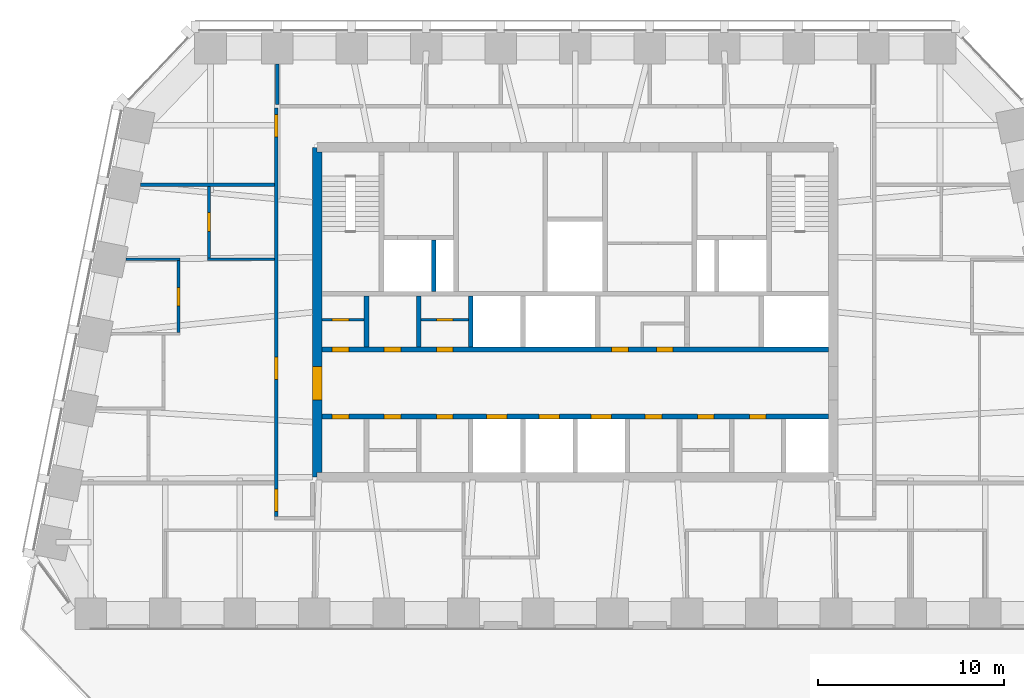
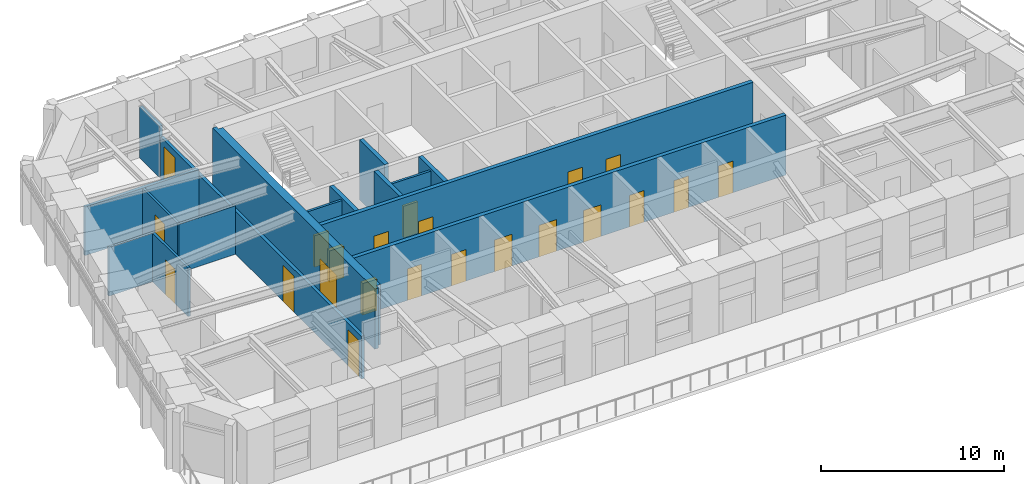
# One storey, part 5 of 10: 22 doors, 16 walls, 22 openings.
"""IFC4 building model written with IfcOpenShell, lengths in metres."""

from ifc_helpers import new_model, si_unit, direction, frame, frame_2d, origin, place, context, subcontext, project, spatial, polyline, rectangle, outline, extrude, material, layer, layer_set, type_object, element, fill, save


model = new_model("IFC4")

# Units and contexts
model_context = context("Model", 3, precision=1e-05, world=origin(), true_north=direction((0.0, 1.0)))
body_context = subcontext(model_context, "Body", "Model", "MODEL_VIEW")
ifc_project = project(units=[si_unit("LENGTHUNIT", "METRE"), si_unit("AREAUNIT", "SQUARE_METRE"), si_unit("VOLUMEUNIT", "CUBIC_METRE"), si_unit("PLANEANGLEUNIT", "RADIAN"), si_unit("MASSUNIT", "GRAM", prefix="KILO")], contexts=[model_context])

# Site, building, storey
site_placement = place(None, origin())
site = spatial("IfcSite", under=ifc_project, at=site_placement, CompositionType="ELEMENT")
building_placement = place(site_placement, origin())
building = spatial("IfcBuilding", under=site, at=building_placement, Name="Isbrekke Arena Tower", CompositionType="ELEMENT")
storey_placement = place(building_placement, frame((0.0, 0.0, 296.0)))
storey = spatial("IfcBuildingStorey", under=building, at=storey_placement, Name="L69", CompositionType="ELEMENT", Elevation=296.0)

# Wall, opening, door
ifc_material_1 = material(Name="Concrete B55 (C55/67)", Category="concrete")
ifc_layer_1 = layer(ifc_material_1, 0.5)
ifc_layer_set_1 = layer_set([ifc_layer_1], Name="CW5 CORE WALL 500")
wall_type_1 = type_object("IfcWallType", Name="CW5 CORE WALL 500", PredefinedType="SHEAR", material=ifc_layer_set_1)
wall_1_placement = place(storey_placement, frame((-13.85009765625, 23.85009765625, 0.0), z_axis=(0.0, 0.0, 1.0), x_axis=(0.0, -1.0, 0.0)))
wall_1 = element("IfcWall", 1, at=wall_1_placement, inside=storey, type_object=wall_type_1, Name="Core wall W L69", PredefinedType="SHEAR", context=body_context, shape_type="SweptSolid", body=[
    extrude(outline(polyline([(0.0, -0.25), (17.7001953125, -0.25), (17.7001953125, 0.0), (17.4501953125, 0.0), (17.4501953125, 0.25), (0.25, 0.25), (0.25, 0.0), (0.0, 0.0), (0.0, -0.25)])), origin(), (0.0, 0.0, 1.0), 4.0),
])
opening_1_placement = place(wall_1_placement, frame((11.75, 0.0, 0.0)))
opening_1 = element("IfcOpeningElement", 2, at=opening_1_placement, cuts=wall_1, Name="Opening D1", PredefinedType="OPENING", context=body_context, shape_type="SweptSolid", body=[
    extrude(rectangle(XDim=1.800048828125, YDim=2.39990234375, at=frame_2d((0.89990234375, 1.199951171875))), frame((0.0, 0.264892578125, 0.0), z_axis=(0.0, -1.0, 0.0), x_axis=(1.0, 0.0, 0.0)), (0.0, 0.0, 1.0), 0.52978515625),
])
ifc_material_2 = material(Name="Steel-framed glazed fire door", Category="steel")
door_type_1 = type_object("IfcDoorType", Name="D1 CORE LOBBY DOOR 1800 x 2400", OperationType="DOUBLE_DOOR_SINGLE_SWING", PredefinedType="DOOR", material=ifc_material_2)
door_1_placement = place(opening_1_placement, origin())
door_1 = element("IfcDoor", 3, at=door_1_placement, inside=storey, type_object=door_type_1, Name="D1 lift lobby door west L69", OperationType="DOUBLE_DOOR_SINGLE_SWING", OverallHeight=2.39990234375, OverallWidth=1.800048828125, PredefinedType="DOOR", context=body_context, shape_type="SweptSolid", body=[
    extrude(rectangle(XDim=1.800048828125, YDim=2.39990234375, at=frame_2d((0.89990234375, 1.199951171875))), frame((0.0, 0.249755859375, 0.0), z_axis=(0.0, -1.0, 0.0), x_axis=(1.0, 0.0, 0.0)), (0.0, 0.0, 1.0), 0.49951171875),
])
fill(opening_1, door_1)

# Wall, openings, doors
ifc_material_3 = material(Name="Concrete B45 (C45/55)", Category="concrete")
ifc_layer_2 = layer(ifc_material_3, 0.25)
ifc_layer_set_2 = layer_set([ifc_layer_2], Name="CW6 SHAFT WALL 250")
wall_type_2 = type_object("IfcWallType", Name="CW6 SHAFT WALL 250", PredefinedType="SHEAR", material=ifc_layer_set_2)
wall_2_placement = place(storey_placement, frame((-13.60009765625, 9.39990234375, 0.0), z_axis=(0.0, 0.0, 1.0), x_axis=(1.0, 0.0, 0.0)))
wall_2 = element("IfcWall", 4, at=wall_2_placement, inside=storey, type_object=wall_type_2, Name="Core wall LS L69", PredefinedType="SHEAR", context=body_context, shape_type="SweptSolid", body=[
    extrude(rectangle(XDim=27.2001953125, YDim=0.25, at=frame_2d((13.60009765625, 0.0))), origin(), (0.0, 0.0, 1.0), 4.0),
])
opening_2_placement = place(wall_2_placement, frame((8.85009765625, 0.0, 0.0)))
opening_2 = element("IfcOpeningElement", 5, at=opening_2_placement, cuts=wall_2, Name="Opening LD1", PredefinedType="OPENING", context=body_context, shape_type="SweptSolid", body=[
    extrude(rectangle(XDim=1.10009765625, YDim=2.10009765625, at=frame_2d((0.550048828125, 1.050048828125))), frame((0.0, 0.139892578125, 0.0), z_axis=(0.0, -1.0, 0.0), x_axis=(1.0, 0.0, 0.0)), (0.0, 0.0, 1.0), 0.27978515625),
])
opening_3_placement = place(wall_2_placement, frame((11.64990234375, 0.0, 0.0)))
opening_3 = element("IfcOpeningElement", 6, at=opening_3_placement, cuts=wall_2, Name="Opening LD1", PredefinedType="OPENING", context=body_context, shape_type="SweptSolid", body=[
    extrude(rectangle(XDim=1.10009765625, YDim=2.10009765625, at=frame_2d((0.550048828125, 1.050048828125))), frame((0.0, 0.139892578125, 0.0), z_axis=(0.0, -1.0, 0.0), x_axis=(1.0, 0.0, 0.0)), (0.0, 0.0, 1.0), 0.27978515625),
])
opening_4_placement = place(wall_2_placement, frame((14.449951171875, 0.0, 0.0)))
opening_4 = element("IfcOpeningElement", 7, at=opening_4_placement, cuts=wall_2, Name="Opening LD1", PredefinedType="OPENING", context=body_context, shape_type="SweptSolid", body=[
    extrude(rectangle(XDim=1.10009765625, YDim=2.10009765625, at=frame_2d((0.550048828125, 1.050048828125))), frame((0.0, 0.139892578125, 0.0), z_axis=(0.0, -1.0, 0.0), x_axis=(1.0, 0.0, 0.0)), (0.0, 0.0, 1.0), 0.27978515625),
])
opening_5_placement = place(wall_2_placement, frame((0.550048828125, 0.0, 0.0)))
opening_5 = element("IfcOpeningElement", 8, at=opening_5_placement, cuts=wall_2, Name="Opening D5", PredefinedType="OPENING", context=body_context, shape_type="SweptSolid", body=[
    extrude(rectangle(XDim=0.89990234375, YDim=2.10009765625, at=frame_2d((0.449951171875, 1.050048828125))), frame((0.0, 0.139892578125, 0.0), z_axis=(0.0, -1.0, 0.0), x_axis=(1.0, 0.0, 0.0)), (0.0, 0.0, 1.0), 0.27978515625),
])
opening_6_placement = place(wall_2_placement, frame((3.35009765625, 0.0, 0.0)))
opening_6 = element("IfcOpeningElement", 9, at=opening_6_placement, cuts=wall_2, Name="Opening D5", PredefinedType="OPENING", context=body_context, shape_type="SweptSolid", body=[
    extrude(rectangle(XDim=0.89990234375, YDim=2.10009765625, at=frame_2d((0.449951171875, 1.050048828125))), frame((0.0, 0.139892578125, 0.0), z_axis=(0.0, -1.0, 0.0), x_axis=(1.0, 0.0, 0.0)), (0.0, 0.0, 1.0), 0.27978515625),
])
opening_7_placement = place(wall_2_placement, frame((6.14990234375, 0.0, 0.0)))
opening_7 = element("IfcOpeningElement", 10, at=opening_7_placement, cuts=wall_2, Name="Opening D5", PredefinedType="OPENING", context=body_context, shape_type="SweptSolid", body=[
    extrude(rectangle(XDim=0.89990234375, YDim=2.10009765625, at=frame_2d((0.449951171875, 1.050048828125))), frame((0.0, 0.139892578125, 0.0), z_axis=(0.0, -1.0, 0.0), x_axis=(1.0, 0.0, 0.0)), (0.0, 0.0, 1.0), 0.27978515625),
])
opening_8_placement = place(wall_2_placement, frame((17.35009765625, 0.0, 0.0)))
opening_8 = element("IfcOpeningElement", 11, at=opening_8_placement, cuts=wall_2, Name="Opening D5", PredefinedType="OPENING", context=body_context, shape_type="SweptSolid", body=[
    extrude(rectangle(XDim=0.89990234375, YDim=2.10009765625, at=frame_2d((0.449951171875, 1.050048828125))), frame((0.0, 0.139892578125, 0.0), z_axis=(0.0, -1.0, 0.0), x_axis=(1.0, 0.0, 0.0)), (0.0, 0.0, 1.0), 0.27978515625),
])
opening_9_placement = place(wall_2_placement, frame((20.14990234375, 0.0, 0.0)))
opening_9 = element("IfcOpeningElement", 12, at=opening_9_placement, cuts=wall_2, Name="Opening D5", PredefinedType="OPENING", context=body_context, shape_type="SweptSolid", body=[
    extrude(rectangle(XDim=0.89990234375, YDim=2.10009765625, at=frame_2d((0.449951171875, 1.050048828125))), frame((0.0, 0.139892578125, 0.0), z_axis=(0.0, -1.0, 0.0), x_axis=(1.0, 0.0, 0.0)), (0.0, 0.0, 1.0), 0.27978515625),
])
opening_10_placement = place(wall_2_placement, frame((22.949951171875, 0.0, 0.0)))
opening_10 = element("IfcOpeningElement", 13, at=opening_10_placement, cuts=wall_2, Name="Opening D5", PredefinedType="OPENING", context=body_context, shape_type="SweptSolid", body=[
    extrude(rectangle(XDim=0.89990234375, YDim=2.10009765625, at=frame_2d((0.449951171875, 1.050048828125))), frame((0.0, 0.139892578125, 0.0), z_axis=(0.0, -1.0, 0.0), x_axis=(1.0, 0.0, 0.0)), (0.0, 0.0, 1.0), 0.27978515625),
])
ifc_material_4 = material(Name="Steel fire door", Category="steel")
door_type_2 = type_object("IfcDoorType", Name="D5 SERVICE DOOR 900 x 2100", OperationType="SINGLE_SWING_LEFT", PredefinedType="DOOR", material=ifc_material_4)
door_2_placement = place(opening_5_placement, origin())
door_2 = element("IfcDoor", 14, at=door_2_placement, inside=storey, type_object=door_type_2, Name="D5 archive door L69", OperationType="SINGLE_SWING_LEFT", OverallHeight=2.10009765625, OverallWidth=0.89990234375, PredefinedType="DOOR", context=body_context, shape_type="SweptSolid", body=[
    extrude(rectangle(XDim=0.89990234375, YDim=2.10009765625, at=frame_2d((0.449951171875, 1.050048828125))), frame((0.0, 0.124755859375, 0.0), z_axis=(0.0, -1.0, 0.0), x_axis=(1.0, 0.0, 0.0)), (0.0, 0.0, 1.0), 0.24951171875),
])
fill(opening_5, door_2)
door_3_placement = place(opening_6_placement, origin())
door_3 = element("IfcDoor", 15, at=door_3_placement, inside=storey, type_object=door_type_2, Name="D5 print room door L69", OperationType="SINGLE_SWING_LEFT", OverallHeight=2.10009765625, OverallWidth=0.89990234375, PredefinedType="DOOR", context=body_context, shape_type="SweptSolid", body=[
    extrude(rectangle(XDim=0.89990234375, YDim=2.10009765625, at=frame_2d((0.449951171875, 1.050048828125))), frame((0.0, 0.124755859375, 0.0), z_axis=(0.0, -1.0, 0.0), x_axis=(1.0, 0.0, 0.0)), (0.0, 0.0, 1.0), 0.24951171875),
])
fill(opening_6, door_3)
door_4_placement = place(opening_7_placement, origin())
door_4 = element("IfcDoor", 16, at=door_4_placement, inside=storey, type_object=door_type_2, Name="D5 technical room door L69", OperationType="SINGLE_SWING_LEFT", OverallHeight=2.10009765625, OverallWidth=0.89990234375, PredefinedType="DOOR", context=body_context, shape_type="SweptSolid", body=[
    extrude(rectangle(XDim=0.89990234375, YDim=2.10009765625, at=frame_2d((0.449951171875, 1.050048828125))), frame((0.0, 0.124755859375, 0.0), z_axis=(0.0, -1.0, 0.0), x_axis=(1.0, 0.0, 0.0)), (0.0, 0.0, 1.0), 0.24951171875),
])
fill(opening_7, door_4)
door_5_placement = place(opening_8_placement, origin())
door_5 = element("IfcDoor", 17, at=door_5_placement, inside=storey, type_object=door_type_2, Name="D5 tenant store door L69", OperationType="SINGLE_SWING_LEFT", OverallHeight=2.10009765625, OverallWidth=0.89990234375, PredefinedType="DOOR", context=body_context, shape_type="SweptSolid", body=[
    extrude(rectangle(XDim=0.89990234375, YDim=2.10009765625, at=frame_2d((0.449951171875, 1.050048828125))), frame((0.0, 0.124755859375, 0.0), z_axis=(0.0, -1.0, 0.0), x_axis=(1.0, 0.0, 0.0)), (0.0, 0.0, 1.0), 0.24951171875),
])
fill(opening_8, door_5)
door_6_placement = place(opening_9_placement, origin())
door_6 = element("IfcDoor", 18, at=door_6_placement, inside=storey, type_object=door_type_2, Name="D5 pantry door L69", OperationType="SINGLE_SWING_LEFT", OverallHeight=2.10009765625, OverallWidth=0.89990234375, PredefinedType="DOOR", context=body_context, shape_type="SweptSolid", body=[
    extrude(rectangle(XDim=0.89990234375, YDim=2.10009765625, at=frame_2d((0.449951171875, 1.050048828125))), frame((0.0, 0.124755859375, 0.0), z_axis=(0.0, -1.0, 0.0), x_axis=(1.0, 0.0, 0.0)), (0.0, 0.0, 1.0), 0.24951171875),
])
fill(opening_9, door_6)
door_7_placement = place(opening_10_placement, origin())
door_7 = element("IfcDoor", 19, at=door_7_placement, inside=storey, type_object=door_type_2, Name="D5 archive door L69", OperationType="SINGLE_SWING_LEFT", OverallHeight=2.10009765625, OverallWidth=0.89990234375, PredefinedType="DOOR", context=body_context, shape_type="SweptSolid", body=[
    extrude(rectangle(XDim=0.89990234375, YDim=2.10009765625, at=frame_2d((0.449951171875, 1.050048828125))), frame((0.0, 0.124755859375, 0.0), z_axis=(0.0, -1.0, 0.0), x_axis=(1.0, 0.0, 0.0)), (0.0, 0.0, 1.0), 0.24951171875),
])
fill(opening_10, door_7)
ifc_material_5 = material(Name="Stainless steel lift landing door", Category="steel")
door_type_3 = type_object("IfcDoorType", Name="LD1 LIFT LANDING DOOR 1100 x 2100", OperationType="SLIDING_TO_LEFT", PredefinedType="DOOR", material=ifc_material_5)
door_8_placement = place(opening_2_placement, origin())
door_8 = element("IfcDoor", 20, at=door_8_placement, inside=storey, type_object=door_type_3, Name="LD1 lift landing door LE L69", OperationType="SLIDING_TO_LEFT", OverallHeight=2.10009765625, OverallWidth=1.10009765625, PredefinedType="DOOR", context=body_context, shape_type="SweptSolid", body=[
    extrude(rectangle(XDim=1.10009765625, YDim=2.10009765625, at=frame_2d((0.550048828125, 1.050048828125))), frame((0.0, 0.124755859375, 0.0), z_axis=(0.0, -1.0, 0.0), x_axis=(1.0, 0.0, 0.0)), (0.0, 0.0, 1.0), 0.24951171875),
])
fill(opening_2, door_8)
door_9_placement = place(opening_3_placement, origin())
door_9 = element("IfcDoor", 21, at=door_9_placement, inside=storey, type_object=door_type_3, Name="LD1 lift landing door LE L69", OperationType="SLIDING_TO_LEFT", OverallHeight=2.10009765625, OverallWidth=1.10009765625, PredefinedType="DOOR", context=body_context, shape_type="SweptSolid", body=[
    extrude(rectangle(XDim=1.10009765625, YDim=2.10009765625, at=frame_2d((0.550048828125, 1.050048828125))), frame((0.0, 0.124755859375, 0.0), z_axis=(0.0, -1.0, 0.0), x_axis=(1.0, 0.0, 0.0)), (0.0, 0.0, 1.0), 0.24951171875),
])
fill(opening_3, door_9)
door_10_placement = place(opening_4_placement, origin())
door_10 = element("IfcDoor", 22, at=door_10_placement, inside=storey, type_object=door_type_3, Name="LD1 lift landing door LE L69", OperationType="SLIDING_TO_LEFT", OverallHeight=2.10009765625, OverallWidth=1.10009765625, PredefinedType="DOOR", context=body_context, shape_type="SweptSolid", body=[
    extrude(rectangle(XDim=1.10009765625, YDim=2.10009765625, at=frame_2d((0.550048828125, 1.050048828125))), frame((0.0, 0.124755859375, 0.0), z_axis=(0.0, -1.0, 0.0), x_axis=(1.0, 0.0, 0.0)), (0.0, 0.0, 1.0), 0.24951171875),
])
fill(opening_4, door_10)

wall_3_placement = place(storey_placement, frame((-13.60009765625, 13.0, 0.0), z_axis=(0.0, 0.0, 1.0), x_axis=(1.0, 0.0, 0.0)))
wall_3 = element("IfcWall", 23, at=wall_3_placement, inside=storey, type_object=wall_type_2, Name="Core wall LN L69", PredefinedType="SHEAR", context=body_context, shape_type="SweptSolid", body=[
    extrude(rectangle(XDim=27.2001953125, YDim=0.25, at=frame_2d((13.60009765625, 0.0))), origin(), (0.0, 0.0, 1.0), 4.0),
])
opening_11_placement = place(wall_3_placement, frame((15.550048828125, 0.0, 0.0)))
opening_11 = element("IfcOpeningElement", 24, at=opening_11_placement, cuts=wall_3, Name="Opening D5", PredefinedType="OPENING", context=body_context, shape_type="SweptSolid", body=[
    extrude(rectangle(XDim=0.89990234375, YDim=2.10009765625, at=frame_2d((0.449951171875, 1.050048828125))), frame((0.0, 0.139892578125, 0.0), z_axis=(0.0, -1.0, 0.0), x_axis=(1.0, 0.0, 0.0)), (0.0, 0.0, 1.0), 0.27978515625),
])
opening_12_placement = place(wall_3_placement, frame((17.949951171875, 0.0, 0.0)))
opening_12 = element("IfcOpeningElement", 25, at=opening_12_placement, cuts=wall_3, Name="Opening D5", PredefinedType="OPENING", context=body_context, shape_type="SweptSolid", body=[
    extrude(rectangle(XDim=0.89990234375, YDim=2.10009765625, at=frame_2d((0.449951171875, 1.050048828125))), frame((0.0, 0.139892578125, 0.0), z_axis=(0.0, -1.0, 0.0), x_axis=(1.0, 0.0, 0.0)), (0.0, 0.0, 1.0), 0.27978515625),
])
opening_13_placement = place(wall_3_placement, frame((0.550048828125, 0.0, 0.0)))
opening_13 = element("IfcOpeningElement", 26, at=opening_13_placement, cuts=wall_3, Name="Opening D5", PredefinedType="OPENING", context=body_context, shape_type="SweptSolid", body=[
    extrude(rectangle(XDim=0.89990234375, YDim=2.10009765625, at=frame_2d((0.449951171875, 1.050048828125))), frame((0.0, 0.139892578125, 0.0), z_axis=(0.0, -1.0, 0.0), x_axis=(1.0, 0.0, 0.0)), (0.0, 0.0, 1.0), 0.27978515625),
])
opening_14_placement = place(wall_3_placement, frame((3.35009765625, 0.0, 0.0)))
opening_14 = element("IfcOpeningElement", 27, at=opening_14_placement, cuts=wall_3, Name="Opening D5", PredefinedType="OPENING", context=body_context, shape_type="SweptSolid", body=[
    extrude(rectangle(XDim=0.89990234375, YDim=2.10009765625, at=frame_2d((0.449951171875, 1.050048828125))), frame((0.0, 0.139892578125, 0.0), z_axis=(0.0, -1.0, 0.0), x_axis=(1.0, 0.0, 0.0)), (0.0, 0.0, 1.0), 0.27978515625),
])
opening_15_placement = place(wall_3_placement, frame((6.14990234375, 0.0, 0.0)))
opening_15 = element("IfcOpeningElement", 28, at=opening_15_placement, cuts=wall_3, Name="Opening D5", PredefinedType="OPENING", context=body_context, shape_type="SweptSolid", body=[
    extrude(rectangle(XDim=0.89990234375, YDim=2.10009765625, at=frame_2d((0.449951171875, 1.050048828125))), frame((0.0, 0.139892578125, 0.0), z_axis=(0.0, -1.0, 0.0), x_axis=(1.0, 0.0, 0.0)), (0.0, 0.0, 1.0), 0.27978515625),
])
door_11_placement = place(opening_11_placement, origin())
door_11 = element("IfcDoor", 29, at=door_11_placement, inside=storey, type_object=door_type_2, Name="D5 communications room door L69", OperationType="SINGLE_SWING_LEFT", OverallHeight=2.10009765625, OverallWidth=0.89990234375, PredefinedType="DOOR", context=body_context, shape_type="SweptSolid", body=[
    extrude(rectangle(XDim=0.89990234375, YDim=2.10009765625, at=frame_2d((0.449951171875, 1.050048828125))), frame((0.0, 0.124755859375, 0.0), z_axis=(0.0, -1.0, 0.0), x_axis=(1.0, 0.0, 0.0)), (0.0, 0.0, 1.0), 0.24951171875),
])
fill(opening_11, door_11)
door_12_placement = place(opening_12_placement, origin())
door_12 = element("IfcDoor", 30, at=door_12_placement, inside=storey, type_object=door_type_2, Name="D5 cleaner's store door L69", OperationType="SINGLE_SWING_LEFT", OverallHeight=2.10009765625, OverallWidth=0.89990234375, PredefinedType="DOOR", context=body_context, shape_type="SweptSolid", body=[
    extrude(rectangle(XDim=0.89990234375, YDim=2.10009765625, at=frame_2d((0.449951171875, 1.050048828125))), frame((0.0, 0.124755859375, 0.0), z_axis=(0.0, -1.0, 0.0), x_axis=(1.0, 0.0, 0.0)), (0.0, 0.0, 1.0), 0.24951171875),
])
fill(opening_12, door_12)
door_13_placement = place(opening_13_placement, origin())
door_13 = element("IfcDoor", 31, at=door_13_placement, inside=storey, type_object=door_type_2, Name="D5 pantry door L69", OperationType="SINGLE_SWING_LEFT", OverallHeight=2.10009765625, OverallWidth=0.89990234375, PredefinedType="DOOR", context=body_context, shape_type="SweptSolid", body=[
    extrude(rectangle(XDim=0.89990234375, YDim=2.10009765625, at=frame_2d((0.449951171875, 1.050048828125))), frame((0.0, 0.124755859375, 0.0), z_axis=(0.0, -1.0, 0.0), x_axis=(1.0, 0.0, 0.0)), (0.0, 0.0, 1.0), 0.24951171875),
])
fill(opening_13, door_13)
door_14_placement = place(opening_14_placement, origin())
door_14 = element("IfcDoor", 32, at=door_14_placement, inside=storey, type_object=door_type_2, Name="D5 print room door L69", OperationType="SINGLE_SWING_LEFT", OverallHeight=2.10009765625, OverallWidth=0.89990234375, PredefinedType="DOOR", context=body_context, shape_type="SweptSolid", body=[
    extrude(rectangle(XDim=0.89990234375, YDim=2.10009765625, at=frame_2d((0.449951171875, 1.050048828125))), frame((0.0, 0.124755859375, 0.0), z_axis=(0.0, -1.0, 0.0), x_axis=(1.0, 0.0, 0.0)), (0.0, 0.0, 1.0), 0.24951171875),
])
fill(opening_14, door_14)
door_15_placement = place(opening_15_placement, origin())
door_15 = element("IfcDoor", 33, at=door_15_placement, inside=storey, type_object=door_type_2, Name="D5 print room door L69", OperationType="SINGLE_SWING_LEFT", OverallHeight=2.10009765625, OverallWidth=0.89990234375, PredefinedType="DOOR", context=body_context, shape_type="SweptSolid", body=[
    extrude(rectangle(XDim=0.89990234375, YDim=2.10009765625, at=frame_2d((0.449951171875, 1.050048828125))), frame((0.0, 0.124755859375, 0.0), z_axis=(0.0, -1.0, 0.0), x_axis=(1.0, 0.0, 0.0)), (0.0, 0.0, 1.0), 0.24951171875),
])
fill(opening_15, door_15)

# Walls
for number, where, z_axis, x_axis, name in (
    (34, (-11.199951171875, 13.125, 0.0), (0.0, 0.0, 1.0), (0.0, 1.0, 0.0), "Core wall SN01 L69"),
    (35, (-8.39990234375, 13.125, 0.0), (0.0, 0.0, 1.0), (0.0, 1.0, 0.0), "Core wall SN02 L69"),
    (36, (-5.60009765625, 13.125, 0.0), (0.0, 0.0, 1.0), (0.0, 1.0, 0.0), "Core wall SN03 L69"),
    (37, (-7.60009765625, 16.125, 0.0), (0.0, 0.0, 1.0), (0.0, 1.0, 0.0), "Core wall NFS1 L69"),
):
    element("IfcWall", number, at=place(storey_placement, frame(where, z_axis=z_axis, x_axis=x_axis)), inside=storey, type_object=wall_type_2, Name=name, PredefinedType="SHEAR", context=body_context, shape_type="SweptSolid", body=[
        extrude(rectangle(XDim=2.75, YDim=0.25, at=frame_2d((1.375, 0.0))), origin(), (0.0, 0.0, 1.0), 4.0),
    ])
ifc_material_6 = material(Name="Gypsum board partition on steel studs", Category="steel")
ifc_layer_3 = layer(ifc_material_6, 0.14990234375)
ifc_layer_set_3 = layer_set([ifc_layer_3], Name="IW1 PARTITION 150")
wall_type_3 = type_object("IfcWallType", Name="IW1 PARTITION 150", PredefinedType="PARTITIONING", material=ifc_layer_set_3)
wall_4_placement = place(storey_placement, frame((-24.123779296875, 17.840087890625, 0.0), z_axis=(0.0, 0.0, 1.0), x_axis=(1.0, 0.0, 0.0)))
element("IfcWall", 38, at=wall_4_placement, inside=storey, type_object=wall_type_3, Name="IW1 partition 150 L69", PredefinedType="PARTITIONING", context=body_context, shape_type="SweptSolid", body=[
    extrude(rectangle(XDim=2.898681640625, YDim=0.14990234375, at=frame_2d((1.44921875, 0.0))), origin(), (0.0, 0.0, 1.0), 3.22998046875),
])
wall_5_placement = place(storey_placement, frame((-19.72509765625, 17.840087890625, 0.0), z_axis=(0.0, 0.0, 1.0), x_axis=(1.0, 0.0, 0.0)))
element("IfcWall", 39, at=wall_5_placement, inside=storey, type_object=wall_type_3, Name="IW1 partition 150 L69", PredefinedType="PARTITIONING", context=body_context, shape_type="SweptSolid", body=[
    extrude(rectangle(XDim=3.5751953125, YDim=0.14990234375, at=frame_2d((1.78759765625, 0.0))), origin(), (0.0, 0.0, 1.0), 3.22998046875),
])

# Wall, opening, door
wall_6_placement = place(storey_placement, frame((-21.300048828125, 13.9150390625, 0.0), z_axis=(0.0, 0.0, 1.0), x_axis=(0.0, 1.0, 0.0)))
wall_6 = element("IfcWall", 40, at=wall_6_placement, inside=storey, type_object=wall_type_3, Name="IW1 partition 150 L69", PredefinedType="PARTITIONING", context=body_context, shape_type="SweptSolid", body=[
    extrude(rectangle(XDim=3.849853515625, YDim=0.14990234375, at=frame_2d((1.9248046875, 0.0))), origin(), (0.0, 0.0, 1.0), 3.22998046875),
])
opening_16_placement = place(wall_6_placement, frame((1.425048828125, 0.0, 0.0)))
opening_16 = element("IfcOpeningElement", 41, at=opening_16_placement, cuts=wall_6, Name="Opening D10", PredefinedType="OPENING", context=body_context, shape_type="SweptSolid", body=[
    extrude(rectangle(XDim=1.0, YDim=2.300048828125, at=frame_2d((0.5, 1.14990234375))), frame((0.0, 0.08984375, 0.0), z_axis=(0.0, -1.0, 0.0), x_axis=(1.0, 0.0, 0.0)), (0.0, 0.0, 1.0), 0.1796875),
])
ifc_material_7 = material(Name="Timber door", Category="wood")
door_type_4 = type_object("IfcDoorType", Name="D10 OFFICE DOOR 1000 x 2300", OperationType="SINGLE_SWING_LEFT", PredefinedType="DOOR", material=ifc_material_7)
door_16_placement = place(opening_16_placement, origin())
door_16 = element("IfcDoor", 42, at=door_16_placement, inside=storey, type_object=door_type_4, Name="D10 office door L69", OperationType="SINGLE_SWING_LEFT", OverallHeight=2.300048828125, OverallWidth=1.0, PredefinedType="DOOR", context=body_context, shape_type="SweptSolid", body=[
    extrude(rectangle(XDim=1.0, YDim=2.300048828125, at=frame_2d((0.5, 1.14990234375))), frame((0.0, 0.07470703125, 0.0), z_axis=(0.0, -1.0, 0.0), x_axis=(1.0, 0.0, 0.0)), (0.0, 0.0, 1.0), 0.1494140625),
])
fill(opening_16, door_16)

wall_7_placement = place(storey_placement, frame((-19.64990234375, 17.9150390625, 0.0), z_axis=(0.0, 0.0, 1.0), x_axis=(0.0, 1.0, 0.0)))
wall_7 = element("IfcWall", 43, at=wall_7_placement, inside=storey, type_object=wall_type_3, Name="IW1 partition 150 L69", PredefinedType="PARTITIONING", context=body_context, shape_type="SweptSolid", body=[
    extrude(rectangle(XDim=3.824951171875, YDim=0.14990234375, at=frame_2d((1.91259765625, 0.0))), origin(), (0.0, 0.0, 1.0), 3.22998046875),
])
opening_17_placement = place(wall_7_placement, frame((1.425048828125, 0.0, 0.0)))
opening_17 = element("IfcOpeningElement", 44, at=opening_17_placement, cuts=wall_7, Name="Opening D10", PredefinedType="OPENING", context=body_context, shape_type="SweptSolid", body=[
    extrude(rectangle(XDim=1.0, YDim=2.300048828125, at=frame_2d((0.5, 1.14990234375))), frame((0.0, 0.08984375, 0.0), z_axis=(0.0, -1.0, 0.0), x_axis=(1.0, 0.0, 0.0)), (0.0, 0.0, 1.0), 0.1796875),
])
door_17_placement = place(opening_17_placement, origin())
door_17 = element("IfcDoor", 45, at=door_17_placement, inside=storey, type_object=door_type_4, Name="D10 print room door L69", OperationType="SINGLE_SWING_LEFT", OverallHeight=2.300048828125, OverallWidth=1.0, PredefinedType="DOOR", context=body_context, shape_type="SweptSolid", body=[
    extrude(rectangle(XDim=1.0, YDim=2.300048828125, at=frame_2d((0.5, 1.14990234375))), frame((0.0, 0.07470703125, 0.0), z_axis=(0.0, -1.0, 0.0), x_axis=(1.0, 0.0, 0.0)), (0.0, 0.0, 1.0), 0.1494140625),
])
fill(opening_17, door_17)

# Wall
ifc_material_8 = material(Name="Gypsum board fire-cell wall on steel studs, two layers each side", Category="steel")
ifc_layer_4 = layer(ifc_material_8, 0.199951171875)
ifc_layer_set_4 = layer_set([ifc_layer_4], Name="IW3 FIRE-CELL WALL 200")
wall_type_4 = type_object("IfcWallType", Name="IW3 FIRE-CELL WALL 200", PredefinedType="PARTITIONING", material=ifc_layer_set_4)
wall_8_placement = place(storey_placement, frame((-23.32373046875, 21.840087890625, 0.0), z_axis=(0.0, 0.0, 1.0), x_axis=(1.0, 0.0, 0.0)))
element("IfcWall", 46, at=wall_8_placement, inside=storey, type_object=wall_type_4, Name="IW3 fire-cell wall 200 L69", PredefinedType="PARTITIONING", context=body_context, shape_type="SweptSolid", body=[
    extrude(rectangle(XDim=7.173828125, YDim=0.199951171875, at=frame_2d((3.5869140625, 0.0))), origin(), (0.0, 0.0, 1.0), 3.22998046875),
])

# Wall, openings, doors
wall_9_placement = place(storey_placement, frame((-16.050048828125, 4.050048828125, 0.0), z_axis=(0.0, 0.0, 1.0), x_axis=(0.0, 1.0, 0.0)))
wall_9 = element("IfcWall", 47, at=wall_9_placement, inside=storey, type_object=wall_type_4, Name="IW3 fire-cell wall 200 L69", PredefinedType="PARTITIONING", context=body_context, shape_type="SweptSolid", body=[
    extrude(rectangle(XDim=21.89990234375, YDim=0.199951171875, at=frame_2d((10.949951171875, 0.0))), origin(), (0.0, 0.0, 1.0), 2.842041015625),
])
opening_18_placement = place(wall_9_placement, frame((0.25, 0.0, 0.0)))
opening_18 = element("IfcOpeningElement", 48, at=opening_18_placement, cuts=wall_9, Name="Opening D12", PredefinedType="OPENING", context=body_context, shape_type="SweptSolid", body=[
    extrude(rectangle(XDim=1.199951171875, YDim=2.39990234375, at=frame_2d((0.60009765625, 1.199951171875))), frame((0.0, 0.11474609375, 0.0), z_axis=(0.0, -1.0, 0.0), x_axis=(1.0, 0.0, 0.0)), (0.0, 0.0, 1.0), 0.229736328125),
])
opening_19_placement = place(wall_9_placement, frame((7.35009765625, 0.0, 0.0)))
opening_19 = element("IfcOpeningElement", 49, at=opening_19_placement, cuts=wall_9, Name="Opening D12", PredefinedType="OPENING", context=body_context, shape_type="SweptSolid", body=[
    extrude(rectangle(XDim=1.199951171875, YDim=2.39990234375, at=frame_2d((0.60009765625, 1.199951171875))), frame((0.0, 0.11474609375, 0.0), z_axis=(0.0, -1.0, 0.0), x_axis=(1.0, 0.0, 0.0)), (0.0, 0.0, 1.0), 0.229736328125),
])
opening_20_placement = place(wall_9_placement, frame((20.35009765625, 0.0, 0.0)))
opening_20 = element("IfcOpeningElement", 50, at=opening_20_placement, cuts=wall_9, Name="Opening D12", PredefinedType="OPENING", context=body_context, shape_type="SweptSolid", body=[
    extrude(rectangle(XDim=1.199951171875, YDim=2.39990234375, at=frame_2d((0.60009765625, 1.199951171875))), frame((0.0, 0.11474609375, 0.0), z_axis=(0.0, -1.0, 0.0), x_axis=(1.0, 0.0, 0.0)), (0.0, 0.0, 1.0), 0.229736328125),
])
ifc_material_9 = material(Name="Timber fire door with vision panel", Category="wood")
door_type_5 = type_object("IfcDoorType", Name="D12 SUITE ENTRANCE DOOR 1200 x 2400", OperationType="SINGLE_SWING_LEFT", PredefinedType="DOOR", material=ifc_material_9)
door_18_placement = place(opening_18_placement, origin())
door_18 = element("IfcDoor", 51, at=door_18_placement, inside=storey, type_object=door_type_5, Name="D12 suite entrance S door L69", OperationType="SINGLE_SWING_LEFT", OverallHeight=2.39990234375, OverallWidth=1.199951171875, PredefinedType="DOOR", context=body_context, shape_type="SweptSolid", body=[
    extrude(rectangle(XDim=1.199951171875, YDim=2.39990234375, at=frame_2d((0.60009765625, 1.199951171875))), frame((0.0, 0.099609375, 0.0), z_axis=(0.0, -1.0, 0.0), x_axis=(1.0, 0.0, 0.0)), (0.0, 0.0, 1.0), 0.199462890625),
])
fill(opening_18, door_18)
door_19_placement = place(opening_19_placement, origin())
door_19 = element("IfcDoor", 52, at=door_19_placement, inside=storey, type_object=door_type_5, Name="D12 suite entrance W door L69", OperationType="SINGLE_SWING_LEFT", OverallHeight=2.39990234375, OverallWidth=1.199951171875, PredefinedType="DOOR", context=body_context, shape_type="SweptSolid", body=[
    extrude(rectangle(XDim=1.199951171875, YDim=2.39990234375, at=frame_2d((0.60009765625, 1.199951171875))), frame((0.0, 0.099609375, 0.0), z_axis=(0.0, -1.0, 0.0), x_axis=(1.0, 0.0, 0.0)), (0.0, 0.0, 1.0), 0.199462890625),
])
fill(opening_19, door_19)
door_20_placement = place(opening_20_placement, origin())
door_20 = element("IfcDoor", 53, at=door_20_placement, inside=storey, type_object=door_type_5, Name="D12 suite entrance NCW door L69", OperationType="SINGLE_SWING_LEFT", OverallHeight=2.39990234375, OverallWidth=1.199951171875, PredefinedType="DOOR", context=body_context, shape_type="SweptSolid", body=[
    extrude(rectangle(XDim=1.199951171875, YDim=2.39990234375, at=frame_2d((0.60009765625, 1.199951171875))), frame((0.0, 0.099609375, 0.0), z_axis=(0.0, -1.0, 0.0), x_axis=(1.0, 0.0, 0.0)), (0.0, 0.0, 1.0), 0.199462890625),
])
fill(opening_20, door_20)

# Wall
wall_10_placement = place(storey_placement, frame((-16.0, 26.14990234375, 0.0), z_axis=(0.0, 0.0, 1.0), x_axis=(0.0, 1.0, 0.0)))
element("IfcWall", 54, at=wall_10_placement, inside=storey, type_object=wall_type_4, Name="IW3 fire-cell wall 200 L69", PredefinedType="PARTITIONING", context=body_context, shape_type="SweptSolid", body=[
    extrude(rectangle(XDim=2.175048828125, YDim=0.199951171875, at=frame_2d((1.08740234375, 0.0))), origin(), (0.0, 0.0, 1.0), 3.41796875),
])

# Wall, opening, door
ifc_material_10 = material(Name="Gypsum board fire-rated partition on steel studs, two layers each side", Category="steel")
ifc_layer_5 = layer(ifc_material_10, 0.14990234375)
ifc_layer_set_5 = layer_set([ifc_layer_5], Name="IW5 FIRE-RATED PARTITION 150")
wall_type_5 = type_object("IfcWallType", Name="IW5 FIRE-RATED PARTITION 150", PredefinedType="PARTITIONING", material=ifc_layer_set_5)
wall_11_placement = place(storey_placement, frame((-13.60009765625, 14.60009765625, 0.0), z_axis=(0.0, 0.0, 1.0), x_axis=(1.0, 0.0, 0.0)))
wall_11 = element("IfcWall", 55, at=wall_11_placement, inside=storey, type_object=wall_type_5, Name="IW5 fire-rated partition L69 core service rooms 3", PredefinedType="PARTITIONING", context=body_context, shape_type="SweptSolid", body=[
    extrude(rectangle(XDim=2.275146484375, YDim=0.14990234375, at=frame_2d((1.1376953125, 0.0))), origin(), (0.0, 0.0, 1.0), 3.85009765625),
])
opening_21_placement = place(wall_11_placement, frame((0.550048828125, 0.0, 0.0)))
opening_21 = element("IfcOpeningElement", 56, at=opening_21_placement, cuts=wall_11, Name="Opening D5", PredefinedType="OPENING", context=body_context, shape_type="SweptSolid", body=[
    extrude(rectangle(XDim=0.89990234375, YDim=2.10009765625, at=frame_2d((0.449951171875, 1.050048828125))), frame((0.0, 0.08984375, 0.0), z_axis=(0.0, -1.0, 0.0), x_axis=(1.0, 0.0, 0.0)), (0.0, 0.0, 1.0), 0.1796875),
])
door_21_placement = place(opening_21_placement, origin())
door_21 = element("IfcDoor", 57, at=door_21_placement, inside=storey, type_object=door_type_2, Name="D5 tenant store door L69", OperationType="SINGLE_SWING_LEFT", OverallHeight=2.10009765625, OverallWidth=0.89990234375, PredefinedType="DOOR", context=body_context, shape_type="SweptSolid", body=[
    extrude(rectangle(XDim=0.89990234375, YDim=2.10009765625, at=frame_2d((0.449951171875, 1.050048828125))), frame((0.0, 0.07470703125, 0.0), z_axis=(0.0, -1.0, 0.0), x_axis=(1.0, 0.0, 0.0)), (0.0, 0.0, 1.0), 0.1494140625),
])
fill(opening_21, door_21)

wall_12_placement = place(storey_placement, frame((-8.27490234375, 14.60009765625, 0.0), z_axis=(0.0, 0.0, 1.0), x_axis=(1.0, 0.0, 0.0)))
wall_12 = element("IfcWall", 58, at=wall_12_placement, inside=storey, type_object=wall_type_5, Name="IW5 fire-rated partition L69 core service rooms 4", PredefinedType="PARTITIONING", context=body_context, shape_type="SweptSolid", body=[
    extrude(rectangle(XDim=2.5498046875, YDim=0.14990234375, at=frame_2d((1.27490234375, 0.0))), origin(), (0.0, 0.0, 1.0), 3.85009765625),
])
opening_22_placement = place(wall_12_placement, frame((0.824951171875, 0.0, 0.0)))
opening_22 = element("IfcOpeningElement", 59, at=opening_22_placement, cuts=wall_12, Name="Opening D5", PredefinedType="OPENING", context=body_context, shape_type="SweptSolid", body=[
    extrude(rectangle(XDim=0.89990234375, YDim=2.10009765625, at=frame_2d((0.449951171875, 1.050048828125))), frame((0.0, 0.08984375, 0.0), z_axis=(0.0, -1.0, 0.0), x_axis=(1.0, 0.0, 0.0)), (0.0, 0.0, 1.0), 0.1796875),
])
door_22_placement = place(opening_22_placement, origin())
door_22 = element("IfcDoor", 60, at=door_22_placement, inside=storey, type_object=door_type_2, Name="D5 store door L69", OperationType="SINGLE_SWING_LEFT", OverallHeight=2.10009765625, OverallWidth=0.89990234375, PredefinedType="DOOR", context=body_context, shape_type="SweptSolid", body=[
    extrude(rectangle(XDim=0.89990234375, YDim=2.10009765625, at=frame_2d((0.449951171875, 1.050048828125))), frame((0.0, 0.07470703125, 0.0), z_axis=(0.0, -1.0, 0.0), x_axis=(1.0, 0.0, 0.0)), (0.0, 0.0, 1.0), 0.1494140625),
])
fill(opening_22, door_22)

save(model, "model.ifc")
